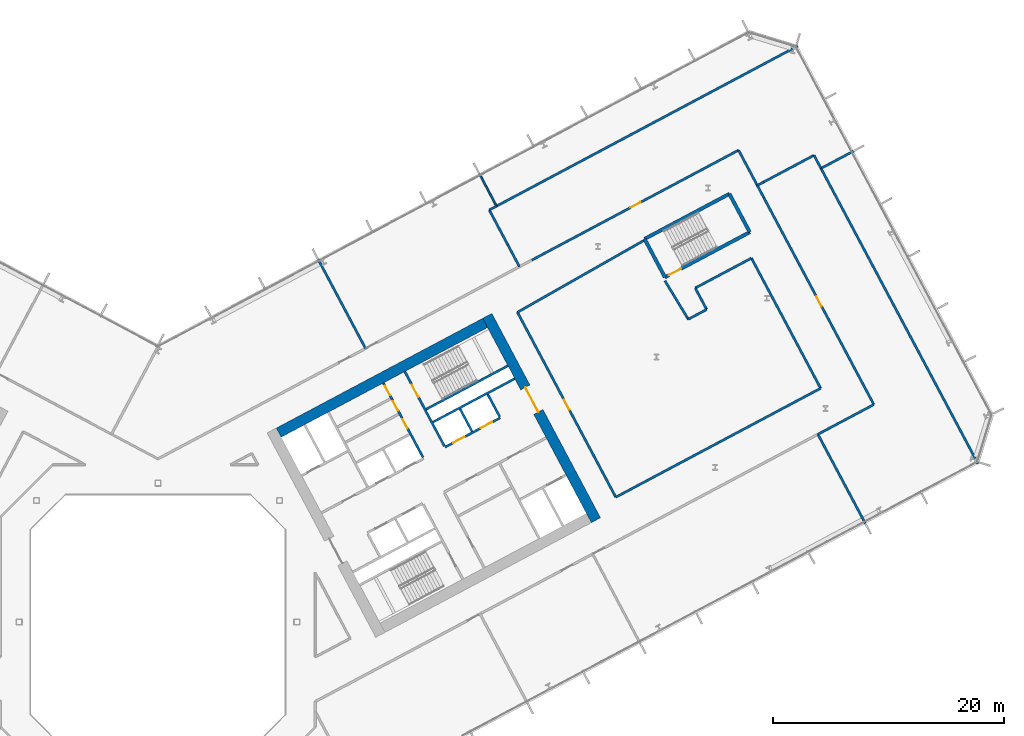
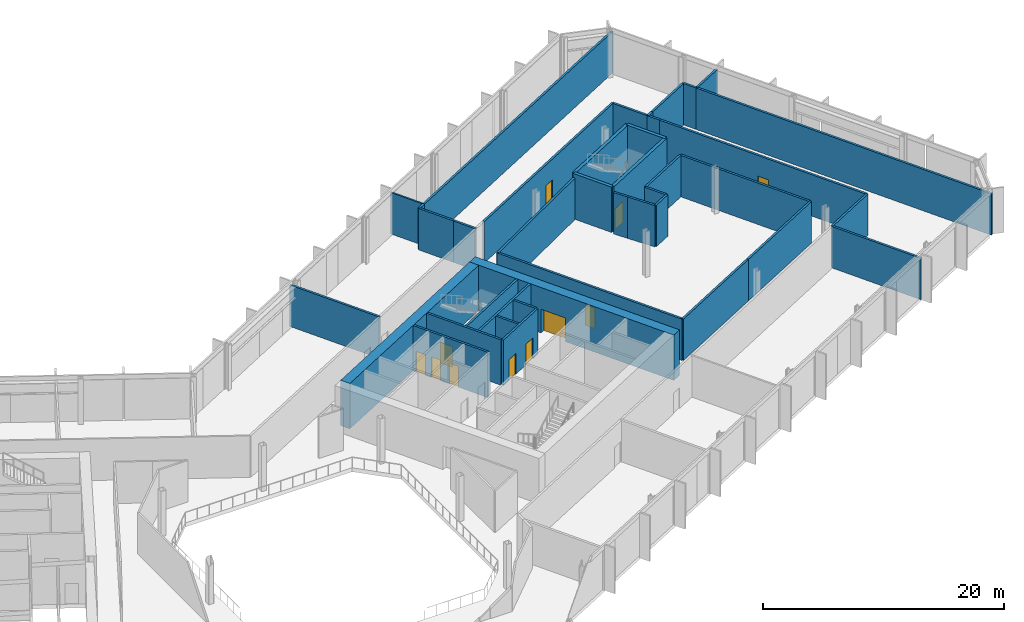
# One storey, part 18 of 30: 40 walls, 11 doors, 11 openings.
"""IFC4 building model written with IfcOpenShell, lengths in metres."""

from ifc_helpers import new_model, si_unit, direction, frame, frame_2d, origin, place, context, subcontext, project, spatial, rectangle, extrude, material, layer, layer_set, type_object, element, fill, save


model = new_model("IFC4")

# Units and contexts
model_context = context("Model", 3, precision=1e-05, world=origin(), true_north=direction((0.0, 1.0)))
body_context = subcontext(model_context, "Body", "Model", "MODEL_VIEW")
ifc_project = project(units=[si_unit("LENGTHUNIT", "METRE"), si_unit("AREAUNIT", "SQUARE_METRE"), si_unit("VOLUMEUNIT", "CUBIC_METRE"), si_unit("PLANEANGLEUNIT", "RADIAN"), si_unit("MASSUNIT", "GRAM", prefix="KILO")], contexts=[model_context])

# Site, building, storey
site_placement = place(None, origin())
site = spatial("IfcSite", under=ifc_project, at=site_placement, CompositionType="ELEMENT")
building_placement = place(site_placement, origin())
building = spatial("IfcBuilding", under=site, at=building_placement, Name="Cormorant Relay Tower", CompositionType="ELEMENT")
storey_placement = place(building_placement, frame((0.0, 0.0, 84.60009765625)))
storey = spatial("IfcBuildingStorey", under=building, at=storey_placement, Name="L16", CompositionType="ELEMENT", Elevation=84.60009765625)

# Wall
ifc_material_1 = material(Name="Concrete 40 MPa", Category="concrete")
ifc_layer_1 = layer(ifc_material_1, 0.199951171875)
ifc_layer_set_1 = layer_set([ifc_layer_1], Name="Core internal wall 200")
wall_type_1 = type_object("IfcWallType", Name="Core internal wall 200", PredefinedType="SOLIDWALL", material=ifc_layer_set_1)
wall_1_placement = place(storey_placement, frame((27.144287109375, 16.471435546875, 0.0), z_axis=(0.0, 0.0, 1.0), x_axis=(-0.469401318492, 0.882984938828, 0.0)))
element("IfcWall", 1, at=wall_1_placement, inside=storey, type_object=wall_type_1, Name="L16 core B shaft and room wall", PredefinedType="SOLIDWALL", context=body_context, shape_type="SweptSolid", body=[
    extrude(rectangle(XDim=2.199951171875, YDim=0.199951171875, at=frame_2d((1.10009765625, 0.0))), origin(), (0.0, 0.0, 1.0), 4.599853515625),
])

# Wall, openings, doors
ifc_material_2 = material(Name="Concrete 50 MPa", Category="concrete")
ifc_layer_2 = layer(ifc_material_2, 0.199951171875)
ifc_layer_set_2 = layer_set([ifc_layer_2], Name="Core shaft wall 200")
wall_type_2 = type_object("IfcWallType", Name="Core shaft wall 200", PredefinedType="SHEAR", material=ifc_layer_set_2)
wall_2_placement = place(storey_placement, frame((22.90625, 14.218017578125, 0.0), z_axis=(0.0, 0.0, 1.0), x_axis=(-0.469480409012, 0.88294288918, 0.0)))
wall_2 = element("IfcWall", 2, at=wall_2_placement, inside=storey, type_object=wall_type_2, Name="L16 core B shaft wall", PredefinedType="SHEAR", context=body_context, shape_type="SweptSolid", body=[
    extrude(rectangle(XDim=7.300048828125, YDim=0.199951171875, at=frame_2d((3.64990234375, 0.0))), origin(), (0.0, 0.0, 1.0), 4.599853515625),
])
opening_1_placement = place(wall_2_placement, frame((2.85009765625, 0.0, 0.0)))
opening_1 = element("IfcOpeningElement", 3, at=opening_1_placement, cuts=wall_2, Name="Opening CDD-134", PredefinedType="OPENING", context=body_context, shape_type="SweptSolid", body=[
    extrude(rectangle(XDim=0.89990234375, YDim=2.10009765625, at=frame_2d((0.449951171875, 1.050048828125))), frame((0.0, 0.10986328125, 0.0), z_axis=(0.0, -1.0, 0.0), x_axis=(1.0, 0.0, 0.0)), (0.0, 0.0, 1.0), 0.219970703125),
])
opening_2_placement = place(wall_2_placement, frame((4.60009765625, 0.0, 0.0)))
opening_2 = element("IfcOpeningElement", 4, at=opening_2_placement, cuts=wall_2, Name="Opening CDD-135", PredefinedType="OPENING", context=body_context, shape_type="SweptSolid", body=[
    extrude(rectangle(XDim=0.89990234375, YDim=2.10009765625, at=frame_2d((0.449951171875, 1.050048828125))), frame((0.0, 0.10986328125, 0.0), z_axis=(0.0, -1.0, 0.0), x_axis=(1.0, 0.0, 0.0)), (0.0, 0.0, 1.0), 0.219970703125),
])
opening_3_placement = place(wall_2_placement, frame((6.10009765625, 0.0, 0.0)))
opening_3 = element("IfcOpeningElement", 5, at=opening_3_placement, cuts=wall_2, Name="Opening CDD-136", PredefinedType="OPENING", context=body_context, shape_type="SweptSolid", body=[
    extrude(rectangle(XDim=0.89990234375, YDim=2.10009765625, at=frame_2d((0.449951171875, 1.050048828125))), frame((0.0, 0.10986328125, 0.0), z_axis=(0.0, -1.0, 0.0), x_axis=(1.0, 0.0, 0.0)), (0.0, 0.0, 1.0), 0.219970703125),
])
ifc_material_3 = material(Name="Steel fire door", Category="steel")
door_type_1 = type_object("IfcDoorType", Name="Core room door 900x2100", OperationType="SINGLE_SWING_LEFT", PredefinedType="DOOR", material=ifc_material_3)
door_1_placement = place(opening_1_placement, origin())
door_1 = element("IfcDoor", 6, at=door_1_placement, inside=storey, type_object=door_type_1, Name="Core room door 900x2100", OperationType="SINGLE_SWING_RIGHT", OverallHeight=2.10009765625, OverallWidth=0.89990234375, PredefinedType="DOOR", context=body_context, shape_type="SweptSolid", body=[
    extrude(rectangle(XDim=0.89990234375, YDim=2.10009765625, at=frame_2d((0.449951171875, 1.050048828125))), frame((0.0, 0.02490234375, 0.0), z_axis=(0.0, -1.0, 0.0), x_axis=(1.0, 0.0, 0.0)), (0.0, 0.0, 1.0), 0.050048828125),
])
fill(opening_1, door_1)
door_2_placement = place(opening_2_placement, origin())
door_2 = element("IfcDoor", 7, at=door_2_placement, inside=storey, type_object=door_type_1, Name="Core room door 900x2100", OperationType="SINGLE_SWING_LEFT", OverallHeight=2.10009765625, OverallWidth=0.89990234375, PredefinedType="DOOR", context=body_context, shape_type="SweptSolid", body=[
    extrude(rectangle(XDim=0.89990234375, YDim=2.10009765625, at=frame_2d((0.449951171875, 1.050048828125))), frame((0.0, 0.02490234375, 0.0), z_axis=(0.0, -1.0, 0.0), x_axis=(1.0, 0.0, 0.0)), (0.0, 0.0, 1.0), 0.050048828125),
])
fill(opening_2, door_2)
door_3_placement = place(opening_3_placement, origin())
door_3 = element("IfcDoor", 8, at=door_3_placement, inside=storey, type_object=door_type_1, Name="Core room door 900x2100", OperationType="SINGLE_SWING_LEFT", OverallHeight=2.10009765625, OverallWidth=0.89990234375, PredefinedType="DOOR", context=body_context, shape_type="SweptSolid", body=[
    extrude(rectangle(XDim=0.89990234375, YDim=2.10009765625, at=frame_2d((0.449951171875, 1.050048828125))), frame((0.0, 0.02490234375, 0.0), z_axis=(0.0, -1.0, 0.0), x_axis=(1.0, 0.0, 0.0)), (0.0, 0.0, 1.0), 0.050048828125),
])
fill(opening_3, door_3)

# Wall, opening, door
wall_3_placement = place(storey_placement, frame((24.760498046875, 15.2041015625, 0.0), z_axis=(0.0, 0.0, 1.0), x_axis=(-0.469494272526, 0.882935517501, 0.0)))
wall_3 = element("IfcWall", 9, at=wall_3_placement, inside=storey, type_object=wall_type_2, Name="L16 core B shaft wall", PredefinedType="SHEAR", context=body_context, shape_type="SweptSolid", body=[
    extrude(rectangle(XDim=7.2998046875, YDim=0.199951171875, at=frame_2d((3.64990234375, 0.0))), origin(), (0.0, 0.0, 1.0), 4.599853515625),
])
opening_4_placement = place(wall_3_placement, frame((4.800048828125, 0.0, 0.0)))
opening_4 = element("IfcOpeningElement", 10, at=opening_4_placement, cuts=wall_3, Name="Opening CDB-027", PredefinedType="OPENING", context=body_context, shape_type="SweptSolid", body=[
    extrude(rectangle(XDim=1.199951171875, YDim=2.10009765625, at=frame_2d((0.60009765625, 1.050048828125))), frame((0.0, 0.10986328125, 0.0), z_axis=(0.0, -1.0, 0.0), x_axis=(1.0, 0.0, 0.0)), (0.0, 0.0, 1.0), 0.219970703125),
])
ifc_material_4 = material(Name="Steel fire door", Category="steel")
door_type_2 = type_object("IfcDoorType", Name="Core stair door 1200x2100", OperationType="SINGLE_SWING_LEFT", PredefinedType="DOOR", material=ifc_material_4)
door_4_placement = place(opening_4_placement, frame((1.199951171875, 0.0, 0.0), z_axis=(0.0, 0.0, 1.0), x_axis=(-1.0, 0.0, 0.0)))
door_4 = element("IfcDoor", 11, at=door_4_placement, inside=storey, type_object=door_type_2, Name="Core stair door 1200x2100", OperationType="SINGLE_SWING_RIGHT", OverallHeight=2.10009765625, OverallWidth=1.199951171875, PredefinedType="DOOR", context=body_context, shape_type="SweptSolid", body=[
    extrude(rectangle(XDim=1.199951171875, YDim=2.10009765625, at=frame_2d((0.60009765625, 1.050048828125))), frame((0.0, 0.02490234375, 0.0), z_axis=(0.0, -1.0, 0.0), x_axis=(1.0, 0.0, 0.0)), (0.0, 0.0, 1.0), 0.050048828125),
])
fill(opening_4, door_4)

# Wall
wall_4_placement = place(storey_placement, frame((29.5283203125, 17.739013671875, 0.0), z_axis=(0.0, 0.0, 1.0), x_axis=(-0.469401318492, 0.882984938828, 0.0)))
element("IfcWall", 12, at=wall_4_placement, inside=storey, type_object=wall_type_2, Name="L16 core B shaft wall", PredefinedType="SHEAR", context=body_context, shape_type="SweptSolid", body=[
    extrude(rectangle(XDim=2.199951171875, YDim=0.199951171875, at=frame_2d((1.10009765625, 0.0))), origin(), (0.0, 0.0, 1.0), 4.599853515625),
])

# Wall, openings, doors
wall_5_placement = place(storey_placement, frame((24.807373046875, 15.11572265625, 0.0), z_axis=(0.0, 0.0, 1.0), x_axis=(0.882942972946, 0.469480251476, 0.0)))
wall_5 = element("IfcWall", 13, at=wall_5_placement, inside=storey, type_object=wall_type_2, Name="L16 core B shaft wall", PredefinedType="SHEAR", context=body_context, shape_type="SweptSolid", body=[
    extrude(rectangle(XDim=5.39990234375, YDim=0.199951171875, at=frame_2d((2.699951171875, 0.0))), origin(), (0.0, 0.0, 1.0), 4.599853515625),
])
opening_5_placement = place(wall_5_placement, frame((0.800048828125, 0.0, 0.0)))
opening_5 = element("IfcOpeningElement", 14, at=opening_5_placement, cuts=wall_5, Name="Opening LD1-030", PredefinedType="OPENING", context=body_context, shape_type="SweptSolid", body=[
    extrude(rectangle(XDim=1.10009765625, YDim=2.10009765625, at=frame_2d((0.550048828125, 1.050048828125))), frame((0.0, 0.10986328125, 0.0), z_axis=(0.0, -1.0, 0.0), x_axis=(1.0, 0.0, 0.0)), (0.0, 0.0, 1.0), 0.219970703125),
])
opening_6_placement = place(wall_5_placement, frame((3.5, 0.0, 0.0)))
opening_6 = element("IfcOpeningElement", 15, at=opening_6_placement, cuts=wall_5, Name="Opening LD1-031", PredefinedType="OPENING", context=body_context, shape_type="SweptSolid", body=[
    extrude(rectangle(XDim=1.10009765625, YDim=2.10009765625, at=frame_2d((0.550048828125, 1.050048828125))), frame((0.0, 0.10986328125, 0.0), z_axis=(0.0, -1.0, 0.0), x_axis=(1.0, 0.0, 0.0)), (0.0, 0.0, 1.0), 0.219970703125),
])
ifc_material_5 = material(Name="Stainless steel 316", Category="steel")
door_type_3 = type_object("IfcDoorType", Name="Lift landing door 1100x2100", OperationType="DOUBLE_DOOR_SLIDING", PredefinedType="DOOR", material=ifc_material_5)
door_5_placement = place(opening_5_placement, origin())
door_5 = element("IfcDoor", 16, at=door_5_placement, inside=storey, type_object=door_type_3, Name="LR3 landing door", OperationType="DOUBLE_DOOR_SLIDING", OverallHeight=2.10009765625, OverallWidth=1.10009765625, PredefinedType="DOOR", context=body_context, shape_type="SweptSolid", body=[
    extrude(rectangle(XDim=1.10009765625, YDim=2.10009765625, at=frame_2d((0.550048828125, 1.050048828125))), frame((0.0, 0.02490234375, 0.0), z_axis=(0.0, -1.0, 0.0), x_axis=(1.0, 0.0, 0.0)), (0.0, 0.0, 1.0), 0.050048828125),
])
fill(opening_5, door_5)
door_6_placement = place(opening_6_placement, origin())
door_6 = element("IfcDoor", 17, at=door_6_placement, inside=storey, type_object=door_type_3, Name="LR4 landing door", OperationType="DOUBLE_DOOR_SLIDING", OverallHeight=2.10009765625, OverallWidth=1.10009765625, PredefinedType="DOOR", context=body_context, shape_type="SweptSolid", body=[
    extrude(rectangle(XDim=1.10009765625, YDim=2.10009765625, at=frame_2d((0.550048828125, 1.050048828125))), frame((0.0, 0.02490234375, 0.0), z_axis=(0.0, -1.0, 0.0), x_axis=(1.0, 0.0, 0.0)), (0.0, 0.0, 1.0), 0.050048828125),
])
fill(opening_6, door_6)

# Walls
wall_6_placement = place(storey_placement, frame((23.76904296875, 17.28173828125, 0.0), z_axis=(0.0, 0.0, 1.0), x_axis=(0.882940221191, 0.469485426614, 0.0)))
element("IfcWall", 18, at=wall_6_placement, inside=storey, type_object=wall_type_2, Name="L16 core B shaft wall", PredefinedType="SHEAR", context=body_context, shape_type="SweptSolid", body=[
    extrude(rectangle(XDim=8.0, YDim=0.199951171875, at=frame_2d((4.0, 0.0))), origin(), (0.0, 0.0, 1.0), 4.599853515625),
])
wall_7_placement = place(storey_placement, frame((23.18212890625, 18.385498046875, 0.0), z_axis=(0.0, 0.0, 1.0), x_axis=(0.88295287151, 0.469461634952, 0.0)))
element("IfcWall", 19, at=wall_7_placement, inside=storey, type_object=wall_type_2, Name="L16 core B shaft wall", PredefinedType="SHEAR", context=body_context, shape_type="SweptSolid", body=[
    extrude(rectangle(XDim=7.999755859375, YDim=0.199951171875, at=frame_2d((4.0, 0.0))), origin(), (0.0, 0.0, 1.0), 4.599853515625),
])

# Wall, opening, door
ifc_material_6 = material(Name="Concrete 70 MPa", Category="concrete")
ifc_layer_3 = layer(ifc_material_6, 0.89990234375)
ifc_layer_set_3 = layer_set([ifc_layer_3], Name="Core wall 900")
wall_type_3 = type_object("IfcWallType", Name="Core wall 900", PredefinedType="SHEAR", material=ifc_layer_set_3)
wall_8_placement = place(storey_placement, frame((37.849365234375, 8.799072265625, 0.0), z_axis=(0.0, 0.0, 1.0), x_axis=(-0.469465789982, 0.882950662289, 0.0)))
wall_8 = element("IfcWall", 20, at=wall_8_placement, inside=storey, type_object=wall_type_3, Name="L16 core B wall", PredefinedType="SHEAR", context=body_context, shape_type="SweptSolid", body=[
    extrude(rectangle(XDim=20.000244140625, YDim=0.89990234375, at=frame_2d((10.0, 0.0))), origin(), (0.0, 0.0, 1.0), 4.599853515625),
])
opening_7_placement = place(wall_8_placement, frame((10.60009765625, 0.0, 0.0)))
opening_7 = element("IfcOpeningElement", 21, at=opening_7_placement, cuts=wall_8, Name="Opening CDA-020", PredefinedType="OPENING", context=body_context, shape_type="SweptSolid", body=[
    extrude(rectangle(XDim=2.39990234375, YDim=2.39990234375, at=frame_2d((1.199951171875, 1.199951171875))), frame((0.0, 0.4599609375, 0.0), z_axis=(0.0, -1.0, 0.0), x_axis=(1.0, 0.0, 0.0)), (0.0, 0.0, 1.0), 0.919921875),
])
ifc_material_7 = material(Name="Steel fire door", Category="steel")
door_type_4 = type_object("IfcDoorType", Name="Core lobby door 2400x2400", OperationType="DOUBLE_DOOR_SINGLE_SWING", PredefinedType="DOOR", material=ifc_material_7)
door_7_placement = place(opening_7_placement, origin())
door_7 = element("IfcDoor", 22, at=door_7_placement, inside=storey, type_object=door_type_4, Name="Core lobby door 2400x2400", OperationType="DOUBLE_DOOR_SINGLE_SWING", OverallHeight=2.39990234375, OverallWidth=2.39990234375, PredefinedType="DOOR", context=body_context, shape_type="SweptSolid", body=[
    extrude(rectangle(XDim=2.39990234375, YDim=2.39990234375, at=frame_2d((1.199951171875, 1.199951171875))), frame((0.0, 0.02490234375, 0.0), z_axis=(0.0, -1.0, 0.0), x_axis=(1.0, 0.0, 0.0)), (0.0, 0.0, 1.0), 0.050048828125),
])
fill(opening_7, door_7)

# Walls
wall_9_placement = place(storey_placement, frame((10.4384765625, 16.3662109375, 0.0), z_axis=(0.0, 0.0, 1.0), x_axis=(0.88294509198, 0.469476266226, 0.0)))
element("IfcWall", 23, at=wall_9_placement, inside=storey, type_object=wall_type_3, Name="L16 core B wall", PredefinedType="SHEAR", context=body_context, shape_type="SweptSolid", body=[
    extrude(rectangle(XDim=20.199951171875, YDim=0.89990234375, at=frame_2d((10.10009765625, 0.0))), origin(), (0.0, 0.0, 1.0), 4.599853515625),
])
ifc_material_8 = material(Name="Fire-rated gypsum board partition")
ifc_layer_4 = layer(ifc_material_8, 0.199951171875)
ifc_layer_set_4 = layer_set([ifc_layer_4], Name="Fire-rated gypsum partition 200")
wall_type_4 = type_object("IfcWallType", Name="Fire-rated gypsum partition 200", PredefinedType="PARTITIONING", material=ifc_layer_set_4)
wall_10_placement = place(storey_placement, frame((13.833984375, 31.365966796875, 0.0), z_axis=(0.0, 0.0, 1.0), x_axis=(0.469374180568, -0.882999365014, 0.0)))
element("IfcWall", 24, at=wall_10_placement, inside=storey, type_object=wall_type_4, Name="wall/L16/part/48", PredefinedType="PARTITIONING", context=body_context, shape_type="SweptSolid", body=[
    extrude(rectangle(XDim=8.749755859375, YDim=0.199951171875, at=frame_2d((4.375, 0.0))), origin(), (0.0, 0.0, 1.0), 4.199951171875),
])
wall_11_placement = place(storey_placement, frame((30.235107421875, 32.59912109375, 0.0), z_axis=(0.0, 0.0, 1.0), x_axis=(0.46945013559, -0.882958985568, 0.0)))
element("IfcWall", 25, at=wall_11_placement, inside=storey, type_object=wall_type_4, Name="wall/L16/part/58", PredefinedType="PARTITIONING", context=body_context, shape_type="SweptSolid", body=[
    extrude(rectangle(XDim=2.138427734375, YDim=0.199951171875, at=frame_2d((1.0693359375, 0.0))), origin(), (0.0, 0.0, 1.0), 4.199951171875),
])
wall_12_placement = place(storey_placement, frame((29.260009765625, 35.945068359375, 0.0), z_axis=(0.0, 0.0, 1.0), x_axis=(0.882955510648, 0.469456671288, 0.0)))
element("IfcWall", 26, at=wall_12_placement, inside=storey, type_object=wall_type_4, Name="wall/L16/part/60", PredefinedType="PARTITIONING", context=body_context, shape_type="SweptSolid", body=[
    extrude(rectangle(XDim=29.506591796875, YDim=0.199951171875, at=frame_2d((14.75341796875, 0.0))), origin(), (0.0, 0.0, 1.0), 4.199951171875),
])
wall_13_placement = place(storey_placement, frame((30.235107421875, 32.59912109375, 0.0), z_axis=(0.0, 0.0, 1.0), x_axis=(-0.469599917758, 0.882879333341, 0.0)))
element("IfcWall", 27, at=wall_13_placement, inside=storey, type_object=wall_type_4, Name="wall/L16/part/61", PredefinedType="PARTITIONING", context=body_context, shape_type="SweptSolid", body=[
    extrude(rectangle(XDim=3.41162109375, YDim=0.199951171875, at=frame_2d((1.705810546875, 0.0))), origin(), (0.0, 0.0, 1.0), 4.199951171875),
])
wall_14_placement = place(storey_placement, frame((28.633056640625, 35.611083984375, 0.0), z_axis=(0.0, 0.0, 1.0), x_axis=(0.882581167339, 0.470160061106, 0.0)))
element("IfcWall", 28, at=wall_14_placement, inside=storey, type_object=wall_type_4, Name="wall/L16/part/62", PredefinedType="PARTITIONING", context=body_context, shape_type="SweptSolid", body=[
    extrude(rectangle(XDim=0.71044921875, YDim=0.199951171875, at=frame_2d((0.355224609375, 0.0))), origin(), (0.0, 0.0, 1.0), 4.199951171875),
])

# Wall, opening, door
wall_15_placement = place(storey_placement, frame((32.30810546875, 31.279052734375, 0.0), z_axis=(0.0, 0.0, 1.0), x_axis=(0.882939951573, 0.469485933673, 0.0)))
wall_15 = element("IfcWall", 29, at=wall_15_placement, inside=storey, type_object=wall_type_4, Name="wall/L16/part/64", PredefinedType="PARTITIONING", context=body_context, shape_type="SweptSolid", body=[
    extrude(rectangle(XDim=20.239013671875, YDim=0.199951171875, at=frame_2d((10.11962890625, 0.0))), origin(), (0.0, 0.0, 1.0), 4.199951171875),
])
opening_8_placement = place(wall_15_placement, frame((9.64990234375, 0.0, 0.0)))
opening_8 = element("IfcOpeningElement", 30, at=opening_8_placement, cuts=wall_15, Name="Opening FD1-099", PredefinedType="OPENING", context=body_context, shape_type="SweptSolid", body=[
    extrude(rectangle(XDim=1.0, YDim=2.10009765625, at=frame_2d((0.5, 1.050048828125))), frame((0.0, 0.10986328125, 0.0), z_axis=(0.0, -1.0, 0.0), x_axis=(1.0, 0.0, 0.0)), (0.0, 0.0, 1.0), 0.219970703125),
])
ifc_material_9 = material(Name="Fire-rated steel door", Category="steel")
door_type_5 = type_object("IfcDoorType", Name="Fire door 1000 x 2100", OperationType="SINGLE_SWING_LEFT", PredefinedType="DOOR", material=ifc_material_9)
door_8_placement = place(opening_8_placement, origin())
door_8 = element("IfcDoor", 31, at=door_8_placement, inside=storey, type_object=door_type_5, Name="door/L16/8", OperationType="SINGLE_SWING_LEFT", OverallHeight=2.10009765625, OverallWidth=1.0, PredefinedType="DOOR", context=body_context, shape_type="SweptSolid", body=[
    extrude(rectangle(XDim=1.0, YDim=2.10009765625, at=frame_2d((0.5, 1.050048828125))), frame((0.0, 0.02490234375, 0.0), z_axis=(0.0, -1.0, 0.0), x_axis=(1.0, 0.0, 0.0)), (0.0, 0.0, 1.0), 0.050048828125),
])
fill(opening_8, door_8)

# Walls
wall_16_placement = place(storey_placement, frame((50.177978515625, 40.781005859375, 0.0), z_axis=(0.0, 0.0, 1.0), x_axis=(0.469355564401, -0.883009260521, 0.0)))
element("IfcWall", 32, at=wall_16_placement, inside=storey, type_object=wall_type_4, Name="wall/L16/part/65", PredefinedType="PARTITIONING", context=body_context, shape_type="SweptSolid", body=[
    extrude(rectangle(XDim=3.445068359375, YDim=0.199951171875, at=frame_2d((1.72265625, 0.0))), origin(), (0.0, 0.0, 1.0), 4.199951171875),
])
wall_17_placement = place(storey_placement, frame((57.033935546875, 16.22509765625, 0.0), z_axis=(0.0, 0.0, 1.0), x_axis=(0.469482945701, -0.882941540361, 0.0)))
element("IfcWall", 33, at=wall_17_placement, inside=storey, type_object=wall_type_4, Name="wall/L16/part/66", PredefinedType="PARTITIONING", context=body_context, shape_type="SweptSolid", body=[
    extrude(rectangle(XDim=8.75048828125, YDim=0.199951171875, at=frame_2d((4.375244140625, 0.0))), origin(), (0.0, 0.0, 1.0), 4.199951171875),
])
wall_18_placement = place(storey_placement, frame((48.541015625, 15.56005859375, 0.0), z_axis=(0.0, 0.0, 1.0), x_axis=(-0.882933406877, -0.469498241765, 0.0)))
element("IfcWall", 34, at=wall_18_placement, inside=storey, type_object=wall_type_4, Name="wall/L16/part/67", PredefinedType="PARTITIONING", context=body_context, shape_type="SweptSolid", body=[
    extrude(rectangle(XDim=10.1640625, YDim=0.199951171875, at=frame_2d((5.08203125, 0.0))), origin(), (0.0, 0.0, 1.0), 4.199951171875),
])

# Wall, opening, door
wall_19_placement = place(storey_placement, frame((39.56689453125, 10.7880859375, 0.0), z_axis=(0.0, 0.0, 1.0), x_axis=(-0.469474056812, 0.882946266757, 0.0)))
wall_19 = element("IfcWall", 35, at=wall_19_placement, inside=storey, type_object=wall_type_4, Name="wall/L16/part/68", PredefinedType="PARTITIONING", context=body_context, shape_type="SweptSolid", body=[
    extrude(rectangle(XDim=18.1005859375, YDim=0.199951171875, at=frame_2d((9.05029296875, 0.0))), origin(), (0.0, 0.0, 1.0), 4.199951171875),
])
opening_9_placement = place(wall_19_placement, frame((8.550048828125, 0.0, 0.0)))
opening_9 = element("IfcOpeningElement", 36, at=opening_9_placement, cuts=wall_19, Name="Opening FD1-094", PredefinedType="OPENING", context=body_context, shape_type="SweptSolid", body=[
    extrude(rectangle(XDim=1.0, YDim=2.10009765625, at=frame_2d((0.5, 1.050048828125))), frame((0.0, 0.10986328125, 0.0), z_axis=(0.0, -1.0, 0.0), x_axis=(1.0, 0.0, 0.0)), (0.0, 0.0, 1.0), 0.219970703125),
])
door_9_placement = place(opening_9_placement, origin())
door_9 = element("IfcDoor", 37, at=door_9_placement, inside=storey, type_object=door_type_5, Name="door/L16/21", OperationType="SINGLE_SWING_RIGHT", OverallHeight=2.10009765625, OverallWidth=1.0, PredefinedType="DOOR", context=body_context, shape_type="SweptSolid", body=[
    extrude(rectangle(XDim=1.0, YDim=2.10009765625, at=frame_2d((0.5, 1.050048828125))), frame((0.0, 0.02490234375, 0.0), z_axis=(0.0, -1.0, 0.0), x_axis=(1.0, 0.0, 0.0)), (0.0, 0.0, 1.0), 0.050048828125),
])
fill(opening_9, door_9)

# Walls
wall_20_placement = place(storey_placement, frame((31.069091796875, 26.77001953125, 0.0), z_axis=(0.0, 0.0, 1.0), x_axis=(0.86954617394, 0.493851649168, 0.0)))
element("IfcWall", 38, at=wall_20_placement, inside=storey, type_object=wall_type_4, Name="wall/L16/part/69", PredefinedType="PARTITIONING", context=body_context, shape_type="SweptSolid", body=[
    extrude(rectangle(XDim=12.55029296875, YDim=0.199951171875, at=frame_2d((6.275146484375, 0.0))), origin(), (0.0, 0.0, 1.0), 4.199951171875),
])
wall_21_placement = place(storey_placement, frame((43.81591796875, 29.490966796875, 0.0), z_axis=(0.0, 0.0, 1.0), x_axis=(0.518473208291, -0.855093873376, 0.0)))
element("IfcWall", 39, at=wall_21_placement, inside=storey, type_object=wall_type_4, Name="wall/L16/part/70", PredefinedType="PARTITIONING", context=body_context, shape_type="SweptSolid", body=[
    extrude(rectangle(XDim=1.324951171875, YDim=0.199951171875, at=frame_2d((0.66259765625, 0.0))), origin(), (0.0, 0.0, 1.0), 4.199951171875),
])
wall_22_placement = place(storey_placement, frame((45.8310546875, 26.1669921875, 0.0), z_axis=(0.0, 0.0, 1.0), x_axis=(-0.518386189645, 0.855146629757, 0.0)))
element("IfcWall", 40, at=wall_22_placement, inside=storey, type_object=wall_type_4, Name="wall/L16/part/71", PredefinedType="PARTITIONING", context=body_context, shape_type="SweptSolid", body=[
    extrude(rectangle(XDim=2.56201171875, YDim=0.199951171875, at=frame_2d((1.281005859375, 0.0))), origin(), (0.0, 0.0, 1.0), 4.199951171875),
])
wall_23_placement = place(storey_placement, frame((47.419921875, 27.011962890625, 0.0), z_axis=(0.0, 0.0, 1.0), x_axis=(-0.882911879422, -0.469538723829, 0.0)))
element("IfcWall", 41, at=wall_23_placement, inside=storey, type_object=wall_type_4, Name="wall/L16/part/72", PredefinedType="PARTITIONING", context=body_context, shape_type="SweptSolid", body=[
    extrude(rectangle(XDim=1.799560546875, YDim=0.199951171875, at=frame_2d((0.89990234375, 0.0))), origin(), (0.0, 0.0, 1.0), 4.199951171875),
])
wall_24_placement = place(storey_placement, frame((46.43408203125, 28.865966796875, 0.0), z_axis=(0.0, 0.0, 1.0), x_axis=(0.882942083458, 0.469481924316, 0.0)))
element("IfcWall", 42, at=wall_24_placement, inside=storey, type_object=wall_type_4, Name="wall/L16/part/73", PredefinedType="PARTITIONING", context=body_context, shape_type="SweptSolid", body=[
    extrude(rectangle(XDim=5.499755859375, YDim=0.199951171875, at=frame_2d((2.75, 0.0))), origin(), (0.0, 0.0, 1.0), 4.199951171875),
])
wall_25_placement = place(storey_placement, frame((51.2900390625, 31.447998046875, 0.0), z_axis=(0.0, 0.0, 1.0), x_axis=(0.469459757109, -0.882953869947, 0.0)))
element("IfcWall", 43, at=wall_25_placement, inside=storey, type_object=wall_type_4, Name="wall/L16/part/74", PredefinedType="PARTITIONING", context=body_context, shape_type="SweptSolid", body=[
    extrude(rectangle(XDim=12.738037109375, YDim=0.199951171875, at=frame_2d((6.369140625, 0.0))), origin(), (0.0, 0.0, 1.0), 4.199951171875),
])
wall_26_placement = place(storey_placement, frame((57.27001953125, 20.200927734375, 0.0), z_axis=(0.0, 0.0, 1.0), x_axis=(-0.882965394181, -0.469438081837, 0.0)))
element("IfcWall", 44, at=wall_26_placement, inside=storey, type_object=wall_type_4, Name="wall/L16/part/75", PredefinedType="PARTITIONING", context=body_context, shape_type="SweptSolid", body=[
    extrude(rectangle(XDim=9.885986328125, YDim=0.199951171875, at=frame_2d((4.94287109375, 0.0))), origin(), (0.0, 0.0, 1.0), 4.199951171875),
])
wall_27_placement = place(storey_placement, frame((47.419921875, 27.011962890625, 0.0), z_axis=(0.0, 0.0, 1.0), x_axis=(-0.469489562011, 0.882938022266, 0.0)))
element("IfcWall", 45, at=wall_27_placement, inside=storey, type_object=wall_type_4, Name="wall/L16/part/76", PredefinedType="PARTITIONING", context=body_context, shape_type="SweptSolid", body=[
    extrude(rectangle(XDim=2.099853515625, YDim=0.199951171875, at=frame_2d((1.0498046875, 0.0))), origin(), (0.0, 0.0, 1.0), 4.199951171875),
])
wall_28_placement = place(storey_placement, frame((51.794921875, 37.739013671875, 0.0), z_axis=(0.0, 0.0, 1.0), x_axis=(0.469473160434, -0.882946743373, 0.0)))
element("IfcWall", 46, at=wall_28_placement, inside=storey, type_object=wall_type_4, Name="wall/L16/part/77", PredefinedType="PARTITIONING", context=body_context, shape_type="SweptSolid", body=[
    extrude(rectangle(XDim=1.21630859375, YDim=0.199951171875, at=frame_2d((0.608154296875, 0.0))), origin(), (0.0, 0.0, 1.0), 4.199951171875),
])
wall_29_placement = place(storey_placement, frame((52.35107421875, 38.029052734375, 0.0), z_axis=(0.0, 0.0, 1.0), x_axis=(0.882969925021, 0.469429559688, 0.0)))
element("IfcWall", 47, at=wall_29_placement, inside=storey, type_object=wall_type_4, Name="wall/L16/part/78", PredefinedType="PARTITIONING", context=body_context, shape_type="SweptSolid", body=[
    extrude(rectangle(XDim=4.923095703125, YDim=0.199951171875, at=frame_2d((2.46142578125, 0.0))), origin(), (0.0, 0.0, 1.0), 4.199951171875),
])
wall_30_placement = place(storey_placement, frame((56.697998046875, 40.340087890625, 0.0), z_axis=(0.0, 0.0, 1.0), x_axis=(0.468946315527, -0.883226671446, 0.0)))
element("IfcWall", 48, at=wall_30_placement, inside=storey, type_object=wall_type_4, Name="wall/L16/part/79", PredefinedType="PARTITIONING", context=body_context, shape_type="SweptSolid", body=[
    extrude(rectangle(XDim=1.28173828125, YDim=0.199951171875, at=frame_2d((0.640869140625, 0.0))), origin(), (0.0, 0.0, 1.0), 4.199951171875),
])
wall_31_placement = place(storey_placement, frame((51.798095703125, 37.73388671875, 0.0), z_axis=(0.0, 0.0, 1.0), x_axis=(0.882191163795, 0.470891442396, 0.0)))
element("IfcWall", 49, at=wall_31_placement, inside=storey, type_object=wall_type_4, Name="wall/L16/part/80", PredefinedType="PARTITIONING", context=body_context, shape_type="SweptSolid", body=[
    extrude(rectangle(XDim=0.626708984375, YDim=0.199951171875, at=frame_2d((0.3134765625, 0.0))), origin(), (0.0, 0.0, 1.0), 4.199951171875),
])
wall_32_placement = place(storey_placement, frame((57.041015625, 16.22900390625, 0.0), z_axis=(0.0, 0.0, 1.0), x_axis=(0.882918476145, 0.469526319265, 0.0)))
element("IfcWall", 50, at=wall_32_placement, inside=storey, type_object=wall_type_4, Name="wall/L16/part/81", PredefinedType="PARTITIONING", context=body_context, shape_type="SweptSolid", body=[
    extrude(rectangle(XDim=5.467041015625, YDim=0.199951171875, at=frame_2d((2.7333984375, 0.0))), origin(), (0.0, 0.0, 1.0), 4.199951171875),
])

# Wall, opening, door
wall_33_placement = place(storey_placement, frame((52.365966796875, 36.6650390625, 0.0), z_axis=(0.0, 0.0, 1.0), x_axis=(0.469480933333, -0.882942610387, 0.0)))
wall_33 = element("IfcWall", 51, at=wall_33_placement, inside=storey, type_object=wall_type_4, Name="wall/L16/part/82", PredefinedType="PARTITIONING", context=body_context, shape_type="SweptSolid", body=[
    extrude(rectangle(XDim=20.2392578125, YDim=0.199951171875, at=frame_2d((10.11962890625, 0.0))), origin(), (0.0, 0.0, 1.0), 4.199951171875),
])
opening_10_placement = place(wall_33_placement, frame((9.64990234375, 0.0, 0.0)))
opening_10 = element("IfcOpeningElement", 52, at=opening_10_placement, cuts=wall_33, Name="Opening FD1-098", PredefinedType="OPENING", context=body_context, shape_type="SweptSolid", body=[
    extrude(rectangle(XDim=1.0, YDim=2.10009765625, at=frame_2d((0.5, 1.050048828125))), frame((0.0, 0.10986328125, 0.0), z_axis=(0.0, -1.0, 0.0), x_axis=(1.0, 0.0, 0.0)), (0.0, 0.0, 1.0), 0.219970703125),
])
door_10_placement = place(opening_10_placement, origin())
door_10 = element("IfcDoor", 53, at=door_10_placement, inside=storey, type_object=door_type_5, Name="door/L16/7", OperationType="SINGLE_SWING_LEFT", OverallHeight=2.10009765625, OverallWidth=1.0, PredefinedType="DOOR", context=body_context, shape_type="SweptSolid", body=[
    extrude(rectangle(XDim=1.0, YDim=2.10009765625, at=frame_2d((0.5, 1.050048828125))), frame((0.0, 0.02490234375, 0.0), z_axis=(0.0, -1.0, 0.0), x_axis=(1.0, 0.0, 0.0)), (0.0, 0.0, 1.0), 0.050048828125),
])
fill(opening_10, door_10)

# Walls
wall_34_placement = place(storey_placement, frame((57.299072265625, 39.2080078125, 0.0), z_axis=(0.0, 0.0, 1.0), x_axis=(0.469480728433, -0.882942719337, 0.0)))
element("IfcWall", 54, at=wall_34_placement, inside=storey, type_object=wall_type_4, Name="wall/L16/part/83", PredefinedType="PARTITIONING", context=body_context, shape_type="SweptSolid", body=[
    extrude(rectangle(XDim=28.93408203125, YDim=0.199951171875, at=frame_2d((14.467041015625, 0.0))), origin(), (0.0, 0.0, 1.0), 4.199951171875),
])
wall_35_placement = place(storey_placement, frame((60.126953125, 40.70703125, 0.0), z_axis=(0.0, 0.0, 1.0), x_axis=(-0.883027796121, -0.469320691295, 0.0)))
element("IfcWall", 55, at=wall_35_placement, inside=storey, type_object=wall_type_4, Name="wall/L16/part/84", PredefinedType="PARTITIONING", context=body_context, shape_type="SweptSolid", body=[
    extrude(rectangle(XDim=3.2001953125, YDim=0.199951171875, at=frame_2d((1.60009765625, 0.0))), origin(), (0.0, 0.0, 1.0), 4.199951171875),
])
ifc_material_10 = material(Name="Gypsum board partition")
ifc_layer_5 = layer(ifc_material_10, 0.14990234375)
ifc_layer_set_5 = layer_set([ifc_layer_5], Name="Gypsum board partition 150")
wall_type_5 = type_object("IfcWallType", Name="Gypsum board partition 150", PredefinedType="PARTITIONING", material=ifc_layer_set_5)
wall_36_placement = place(storey_placement, frame((27.760009765625, 38.77099609375, 0.0), z_axis=(0.0, 0.0, 1.0), x_axis=(0.469320691295, -0.883027796121, 0.0)))
element("IfcWall", 56, at=wall_36_placement, inside=storey, type_object=wall_type_5, Name="wall/L16/part/59", PredefinedType="PARTITIONING", context=body_context, shape_type="SweptSolid", body=[
    extrude(rectangle(XDim=3.2001953125, YDim=0.14990234375, at=frame_2d((1.60009765625, 0.0))), origin(), (0.0, 0.0, 1.0), 4.199951171875),
])
ifc_material_11 = material(Name="Concrete 50 MPa", Category="concrete")
ifc_layer_6 = layer(ifc_material_11, 0.300048828125)
ifc_layer_set_6 = layer_set([ifc_layer_6], Name="Remote stair wall 300")
wall_type_6 = type_object("IfcWallType", Name="Remote stair wall 300", PredefinedType="SHEAR", material=ifc_layer_set_6)
wall_37_placement = place(storey_placement, frame((49.384033203125, 37.00390625, 0.0), z_axis=(0.0, 0.0, 1.0), x_axis=(0.46946936446, -0.882948761726, 0.0)))
element("IfcWall", 57, at=wall_37_placement, inside=storey, type_object=wall_type_6, Name="L16 exit stair RB1 wall", PredefinedType="SHEAR", context=body_context, shape_type="SweptSolid", body=[
    extrude(rectangle(XDim=3.75, YDim=0.300048828125, at=frame_2d((1.875, 0.0))), origin(), (0.0, 0.0, 1.0), 4.599853515625),
])

# Wall, opening, door
wall_38_placement = place(storey_placement, frame((51.14453125, 33.69287109375, 0.0), z_axis=(0.0, 0.0, 1.0), x_axis=(-0.882945809314, -0.469474917132, 0.0)))
wall_38 = element("IfcWall", 58, at=wall_38_placement, inside=storey, type_object=wall_type_6, Name="L16 exit stair RB1 wall", PredefinedType="SHEAR", context=body_context, shape_type="SweptSolid", body=[
    extrude(rectangle(XDim=8.30029296875, YDim=0.300048828125, at=frame_2d((4.150146484375, 0.0))), origin(), (0.0, 0.0, 1.0), 4.599853515625),
])
opening_11_placement = place(wall_38_placement, frame((6.72509765625, 0.0, 0.0)))
opening_11 = element("IfcOpeningElement", 59, at=opening_11_placement, cuts=wall_38, Name="Opening CDB-028", PredefinedType="OPENING", context=body_context, shape_type="SweptSolid", body=[
    extrude(rectangle(XDim=1.199951171875, YDim=2.10009765625, at=frame_2d((0.60009765625, 1.050048828125))), frame((0.0, 0.159912109375, 0.0), z_axis=(0.0, -1.0, 0.0), x_axis=(1.0, 0.0, 0.0)), (0.0, 0.0, 1.0), 0.320068359375),
])
door_11_placement = place(opening_11_placement, frame((1.199951171875, 0.0, 0.0), z_axis=(0.0, 0.0, 1.0), x_axis=(-1.0, 0.0, 0.0)))
door_11 = element("IfcDoor", 60, at=door_11_placement, inside=storey, type_object=door_type_2, Name="Exit stair RB1 door", OperationType="SINGLE_SWING_LEFT", OverallHeight=2.10009765625, OverallWidth=1.199951171875, PredefinedType="DOOR", context=body_context, shape_type="SweptSolid", body=[
    extrude(rectangle(XDim=1.199951171875, YDim=2.10009765625, at=frame_2d((0.60009765625, 1.050048828125))), frame((0.0, 0.02490234375, 0.0), z_axis=(0.0, -1.0, 0.0), x_axis=(1.0, 0.0, 0.0)), (0.0, 0.0, 1.0), 0.050048828125),
])
fill(opening_11, door_11)

# Walls
wall_39_placement = place(storey_placement, frame((43.81591796875, 29.796142578125, 0.0), z_axis=(0.0, 0.0, 1.0), x_axis=(-0.46946936446, 0.882948761726, 0.0)))
element("IfcWall", 61, at=wall_39_placement, inside=storey, type_object=wall_type_6, Name="L16 exit stair RB1 wall", PredefinedType="SHEAR", context=body_context, shape_type="SweptSolid", body=[
    extrude(rectangle(XDim=3.75, YDim=0.300048828125, at=frame_2d((1.875, 0.0))), origin(), (0.0, 0.0, 1.0), 4.599853515625),
])
wall_40_placement = place(storey_placement, frame((42.055419921875, 33.107177734375, 0.0), z_axis=(0.0, 0.0, 1.0), x_axis=(0.882945809314, 0.469474917132, 0.0)))
element("IfcWall", 62, at=wall_40_placement, inside=storey, type_object=wall_type_6, Name="L16 exit stair RB1 wall", PredefinedType="SHEAR", context=body_context, shape_type="SweptSolid", body=[
    extrude(rectangle(XDim=8.30029296875, YDim=0.300048828125, at=frame_2d((4.150146484375, 0.0))), origin(), (0.0, 0.0, 1.0), 4.599853515625),
])

save(model, "model.ifc")
